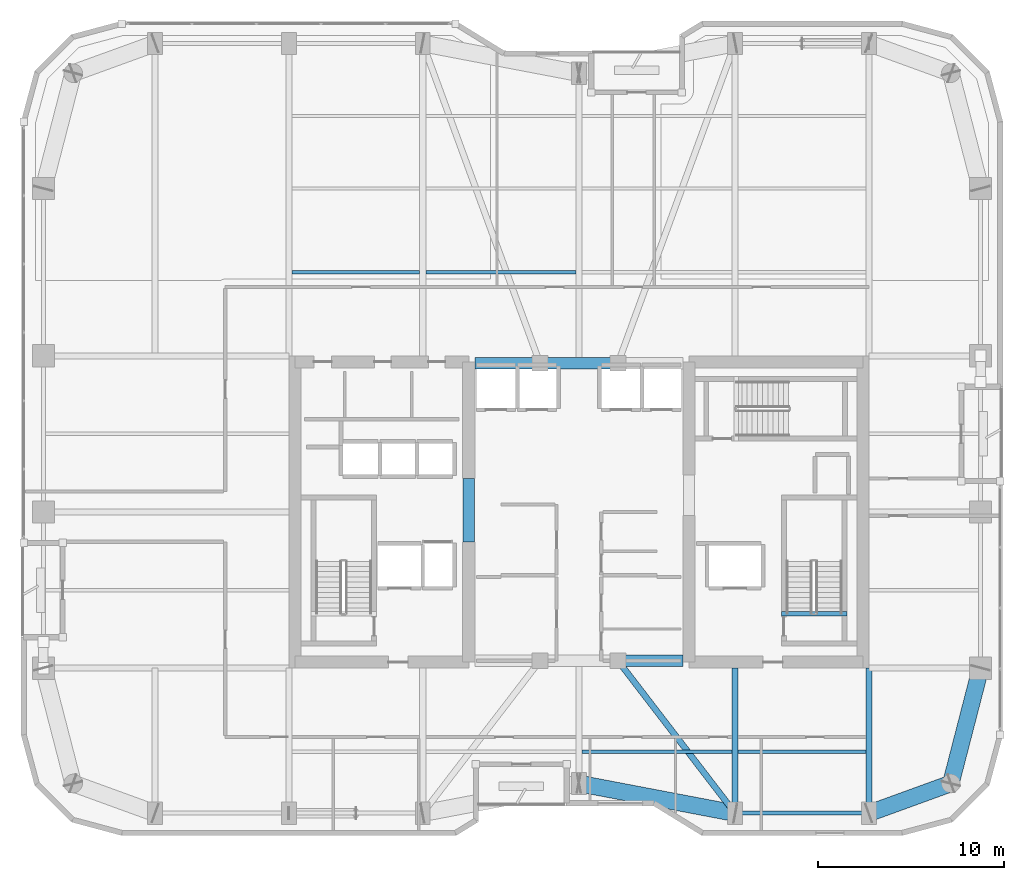
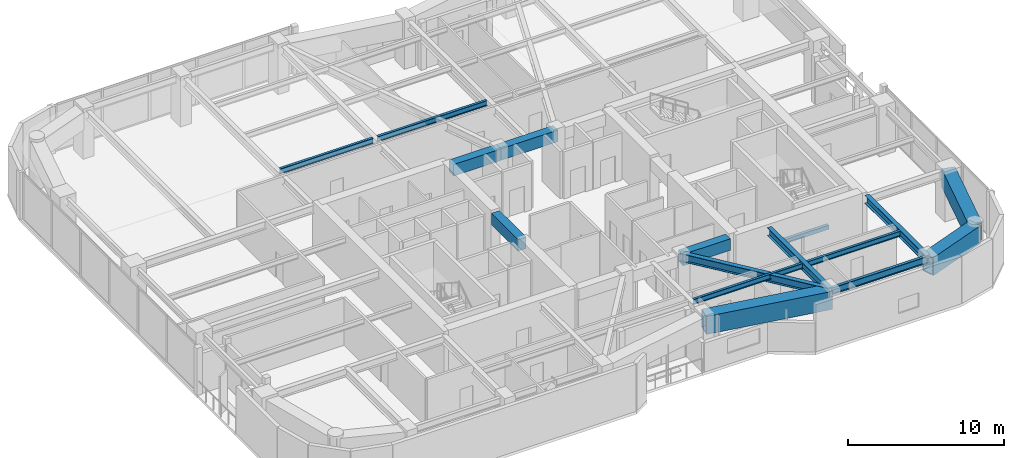
# One storey, part 8 of 30: 16 beams.
"""IFC4 building model written with IfcOpenShell, lengths in metres."""

from ifc_helpers import new_model, si_unit, direction, frame, origin, origin_2d, place, context, subcontext, project, spatial, rectangle, hollow_rectangle, i_section, extrude, material, material_profile, profile_set, type_object, element, save


model = new_model("IFC4")

# Units and contexts
model_context = context("Model", 3, precision=1e-05, world=origin(), true_north=direction((0.0, 1.0)))
body_context = subcontext(model_context, "Body", "Model", "MODEL_VIEW")
ifc_project = project(units=[si_unit("LENGTHUNIT", "METRE"), si_unit("AREAUNIT", "SQUARE_METRE"), si_unit("VOLUMEUNIT", "CUBIC_METRE"), si_unit("PLANEANGLEUNIT", "RADIAN"), si_unit("MASSUNIT", "GRAM", prefix="KILO")], contexts=[model_context])

# Site, building, storey
site_placement = place(None, origin())
site = spatial("IfcSite", under=ifc_project, at=site_placement, CompositionType="ELEMENT")
building_placement = place(site_placement, origin())
building = spatial("IfcBuilding", under=site, at=building_placement, Name="Kiyonajd Concourse Tower", CompositionType="ELEMENT")
storey_placement = place(building_placement, frame((0.0, 0.0, 201.89990234375)))
storey = spatial("IfcBuildingStorey", under=building, at=storey_placement, Name="L51", CompositionType="ELEMENT", Elevation=201.89990234375)

# Beams
ifc_material_1 = material(Name="Concrete C60/75", Category="concrete")
ifc_material_profile_1 = material_profile(ifc_material_1, rectangle(XDim=0.60009765625, YDim=0.89990234375, at=origin_2d()), Name="RCBM-600x900")
ifc_profile_set_1 = profile_set([ifc_material_profile_1], Name="Concrete C60/75")
beam_type_1 = type_object("IfcBeamType", Name="BM-COUP-900", PredefinedType="LINTEL", material=ifc_profile_set_1)
for number, where, z_axis, x_axis, name in (
    (1, (50.10009765625, 28.0, 3.22998046875), (1.0, 0.0, 0.0), (0.0, 1.0, 0.0), "L51 Core Coupling Beam S3"),
    (2, (42.39990234375, 44.0, 3.22998046875), (1.0, 0.0, 0.0), (0.0, 1.0, 0.0), "L51 Core Coupling Beam N1"),
):
    element("IfcBeam", number, at=place(storey_placement, frame(where, z_axis=z_axis, x_axis=x_axis)), inside=storey, type_object=beam_type_1, Name=name, PredefinedType="LINTEL", context=body_context, shape_type="SweptSolid", body=[
        extrude(rectangle(XDim=0.60009765625, YDim=0.89990234375, at=origin_2d()), origin(), (0.0, 0.0, 1.0), 3.5),
    ])
beam_1_placement = place(storey_placement, frame((45.89990234375, 44.0, 3.22998046875), z_axis=(1.0, 0.0, 0.0), x_axis=(0.0, 1.0, 0.0)))
element("IfcBeam", 3, at=beam_1_placement, inside=storey, type_object=beam_type_1, Name="L51 Core Coupling Beam N2", PredefinedType="LINTEL", context=body_context, shape_type="SweptSolid", body=[
    extrude(rectangle(XDim=0.60009765625, YDim=0.89990234375, at=origin_2d()), origin(), (0.0, 0.0, 1.0), 4.2001953125),
])
beam_2_placement = place(storey_placement, frame((42.074951171875, 34.39990234375, 3.22998046875), z_axis=(0.0, 1.0, 0.0), x_axis=(-1.0, 0.0, 0.0)))
element("IfcBeam", 4, at=beam_2_placement, inside=storey, type_object=beam_type_1, Name="L51 West Core Throat Coupling Lintel", PredefinedType="LINTEL", context=body_context, shape_type="SweptSolid", body=[
    extrude(rectangle(XDim=0.60009765625, YDim=0.89990234375, at=origin_2d()), origin(), (0.0, 0.0, 1.0), 3.400146484375),
])
ifc_material_2 = material(Name="Steel ASTM A992 Grade 50", Category="steel")
ifc_material_profile_2 = material_profile(ifc_material_2, i_section(OverallWidth=0.180908203125, OverallDepth=0.4169921875, WebThickness=0.010986328125, FlangeThickness=0.018310546875, at=origin_2d()), Name="W410X85")
ifc_profile_set_2 = profile_set([ifc_material_profile_2], Name="Steel ASTM A992 Grade 50")
beam_type_2 = type_object("IfcBeamType", Name="BM-JST-410", PredefinedType="JOIST", material=ifc_profile_set_2)
beam_3_placement = place(storey_placement, frame((48.16357421875, 23.10009765625, 3.4716796875), z_axis=(1.0, 0.0, 0.0), x_axis=(0.0, 1.0, 0.0)))
element("IfcBeam", 5, at=beam_3_placement, inside=storey, type_object=beam_type_2, Name="L51 Secondary Floor Joist", PredefinedType="JOIST", context=body_context, shape_type="SweptSolid", body=[
    extrude(i_section(OverallWidth=0.180908203125, OverallDepth=0.4169921875, WebThickness=0.010986328125, FlangeThickness=0.018310546875, at=origin_2d()), origin(), (0.0, 0.0, 1.0), 8.072998046875),
])
for number, where, z_axis, x_axis, name in (
    (6, (56.5634765625, 23.10009765625, 3.4716796875), (1.0, 0.0, 0.0), (0.0, 1.0, 0.0), "L51 Secondary Floor Joist"),
    (7, (32.5634765625, 48.89990234375, 3.4716796875), (1.0, 0.0, 0.0), (0.0, 1.0, 0.0), "L51 Secondary Floor Joist"),
):
    element("IfcBeam", number, at=place(storey_placement, frame(where, z_axis=z_axis, x_axis=x_axis)), inside=storey, type_object=beam_type_2, Name=name, PredefinedType="JOIST", context=body_context, shape_type="SweptSolid", body=[
        extrude(i_section(OverallWidth=0.180908203125, OverallDepth=0.4169921875, WebThickness=0.010986328125, FlangeThickness=0.018310546875, at=origin_2d()), origin(), (0.0, 0.0, 1.0), 6.873046875),
    ])
beam_4_placement = place(storey_placement, frame((39.763427734375, 48.89990234375, 3.4716796875), z_axis=(1.0, 0.0, 0.0), x_axis=(0.0, 1.0, 0.0)))
element("IfcBeam", 8, at=beam_4_placement, inside=storey, type_object=beam_type_2, Name="L51 Secondary Floor Joist", PredefinedType="JOIST", context=body_context, shape_type="SweptSolid", body=[
    extrude(i_section(OverallWidth=0.180908203125, OverallDepth=0.4169921875, WebThickness=0.010986328125, FlangeThickness=0.018310546875, at=origin_2d()), origin(), (0.0, 0.0, 1.0), 8.072998046875),
])
ifc_material_3 = material(Name="Concrete C50/60", Category="concrete")
ifc_material_profile_3 = material_profile(ifc_material_3, rectangle(XDim=0.239990234375, YDim=0.320068359375, at=origin_2d()), Name="RCBM-240x320")
ifc_profile_set_3 = profile_set([ifc_material_profile_3], Name="Concrete C50/60")
beam_type_3 = type_object("IfcBeamType", Name="BM-LNT-250", PredefinedType="LINTEL", material=ifc_profile_set_3)
beam_5_placement = place(storey_placement, frame((58.889892578125, 30.530029296875, -0.159912109375), z_axis=(1.0, 0.0, 0.0), x_axis=(0.0, 1.0, 0.0)))
element("IfcBeam", 9, at=beam_5_placement, inside=storey, type_object=beam_type_3, Name="L51 Stair ST2 Threshold Support Beam", PredefinedType="LINTEL", context=body_context, shape_type="SweptSolid", body=[
    extrude(rectangle(XDim=0.239990234375, YDim=0.320068359375, at=origin_2d()), origin(), (0.0, 0.0, 1.0), 3.52001953125),
])
ifc_material_profile_4 = material_profile(ifc_material_2, i_section(OverallWidth=0.214111328125, OverallDepth=0.549072265625, WebThickness=0.0146484375, FlangeThickness=0.023681640625, at=origin_2d()), Name="W530X138")
ifc_profile_set_4 = profile_set([ifc_material_profile_4], Name="Steel ASTM A992 Grade 50")
beam_type_4 = type_object("IfcBeamType", Name="BM-SPAN-530A", PredefinedType="SPANDREL", material=ifc_profile_set_4)
beam_6_placement = place(storey_placement, frame((56.39990234375, 19.800048828125, 3.405517578125), z_axis=(1.0, 0.0, 0.0), x_axis=(0.0, 1.0, 0.0)))
element("IfcBeam", 10, at=beam_6_placement, inside=storey, type_object=beam_type_4, Name="L51 Perimeter Bundled Tube Spandrel", PredefinedType="SPANDREL", context=body_context, shape_type="SweptSolid", body=[
    extrude(i_section(OverallWidth=0.214111328125, OverallDepth=0.549072265625, WebThickness=0.0146484375, FlangeThickness=0.023681640625, at=origin_2d()), origin(), (0.0, 0.0, 1.0), 7.2001953125),
])
ifc_material_profile_5 = material_profile(ifc_material_2, i_section(OverallWidth=0.326904296875, OverallDepth=0.6220703125, WebThickness=0.015380859375, FlangeThickness=0.0244140625, at=origin_2d()), Name="W610X195")
ifc_profile_set_5 = profile_set([ifc_material_profile_5], Name="Steel ASTM A992 Grade 50")
beam_type_5 = type_object("IfcBeamType", Name="BM-TWR-610A", PredefinedType="BEAM", material=ifc_profile_set_5)
beam_7_placement = place(storey_placement, frame((50.10009765625, 28.0, 3.369140625), z_axis=(0.609233709922, -0.792990722956, 0.0), x_axis=(0.792990722956, 0.609233709922, 0.0)))
element("IfcBeam", 11, at=beam_7_placement, inside=storey, type_object=beam_type_5, Name="L51 Core Tie Girder", PredefinedType="BEAM", context=body_context, shape_type="SweptSolid", body=[
    extrude(i_section(OverallWidth=0.326904296875, OverallDepth=0.6220703125, WebThickness=0.015380859375, FlangeThickness=0.0244140625, at=origin_2d()), origin(), (0.0, 0.0, 1.0), 10.340576171875),
])
for number, where, z_axis, x_axis, name in (
    (12, (56.39990234375, 19.800048828125, 3.369140625), (0.0, 1.0, 0.0), (-1.0, 0.0, 0.0), "L51 South Lease Girder"),
    (13, (63.60009765625, 19.800048828125, 3.369140625), (0.0, 1.0, 0.0), (-1.0, 0.0, 0.0), "L51 South Lease Girder"),
):
    element("IfcBeam", number, at=place(storey_placement, frame(where, z_axis=z_axis, x_axis=x_axis)), inside=storey, type_object=beam_type_5, Name=name, PredefinedType="BEAM", context=body_context, shape_type="SweptSolid", body=[
        extrude(i_section(OverallWidth=0.326904296875, OverallDepth=0.6220703125, WebThickness=0.015380859375, FlangeThickness=0.0244140625, at=origin_2d()), origin(), (0.0, 0.0, 1.0), 7.800048828125),
    ])
ifc_material_4 = material(Name="Steel ASTM A572 Grade 50", Category="steel")
ifc_material_profile_6 = material_profile(ifc_material_4, hollow_rectangle(XDim=0.89990234375, YDim=1.39990234375, WallThickness=0.070068359375, at=origin_2d()), Name="BOX-1400x900x70")
ifc_profile_set_6 = profile_set([ifc_material_profile_6], Name="Steel ASTM A572 Grade 50")
beam_type_6 = type_object("IfcBeamType", Name="BM-XFER-1400", PredefinedType="BEAM", material=ifc_profile_set_6)
beam_8_placement = place(storey_placement, frame((48.0, 21.39990234375, 2.97998046875), z_axis=(0.982341315253, -0.187097675953, 0.0), x_axis=(0.187097675953, 0.982341315253, 0.0)))
element("IfcBeam", 14, at=beam_8_placement, inside=storey, type_object=beam_type_6, Name="L51 Perimeter Bundled Tube Spandrel", PredefinedType="BEAM", context=body_context, shape_type="SweptSolid", body=[
    extrude(hollow_rectangle(XDim=0.89990234375, YDim=1.39990234375, WallThickness=0.070068359375, at=origin_2d()), origin(), (0.0, 0.0, 1.0), 8.55078125),
])
beam_9_placement = place(storey_placement, frame((63.60009765625, 19.800048828125, 2.97998046875), z_axis=(0.939801036019, 0.341722127901, 0.0), x_axis=(-0.341722127901, 0.939801036019, 0.0)))
element("IfcBeam", 15, at=beam_9_placement, inside=storey, type_object=beam_type_6, Name="L51 Perimeter Bundled Tube Spandrel", PredefinedType="BEAM", context=body_context, shape_type="SweptSolid", body=[
    extrude(hollow_rectangle(XDim=0.89990234375, YDim=1.39990234375, WallThickness=0.070068359375, at=origin_2d()), origin(), (0.0, 0.0, 1.0), 4.681640625),
])
beam_10_placement = place(storey_placement, frame((68.0, 21.39990234375, 2.97998046875), z_axis=(0.249884937687, 0.968275538221, 0.0), x_axis=(-0.968275538221, 0.249884937687, 0.0)))
element("IfcBeam", 16, at=beam_10_placement, inside=storey, type_object=beam_type_6, Name="L51 Perimeter Bundled Tube Spandrel", PredefinedType="BEAM", context=body_context, shape_type="SweptSolid", body=[
    extrude(hollow_rectangle(XDim=0.89990234375, YDim=1.39990234375, WallThickness=0.070068359375, at=origin_2d()), origin(), (0.0, 0.0, 1.0), 6.4033203125),
])

save(model, "model.ifc")
